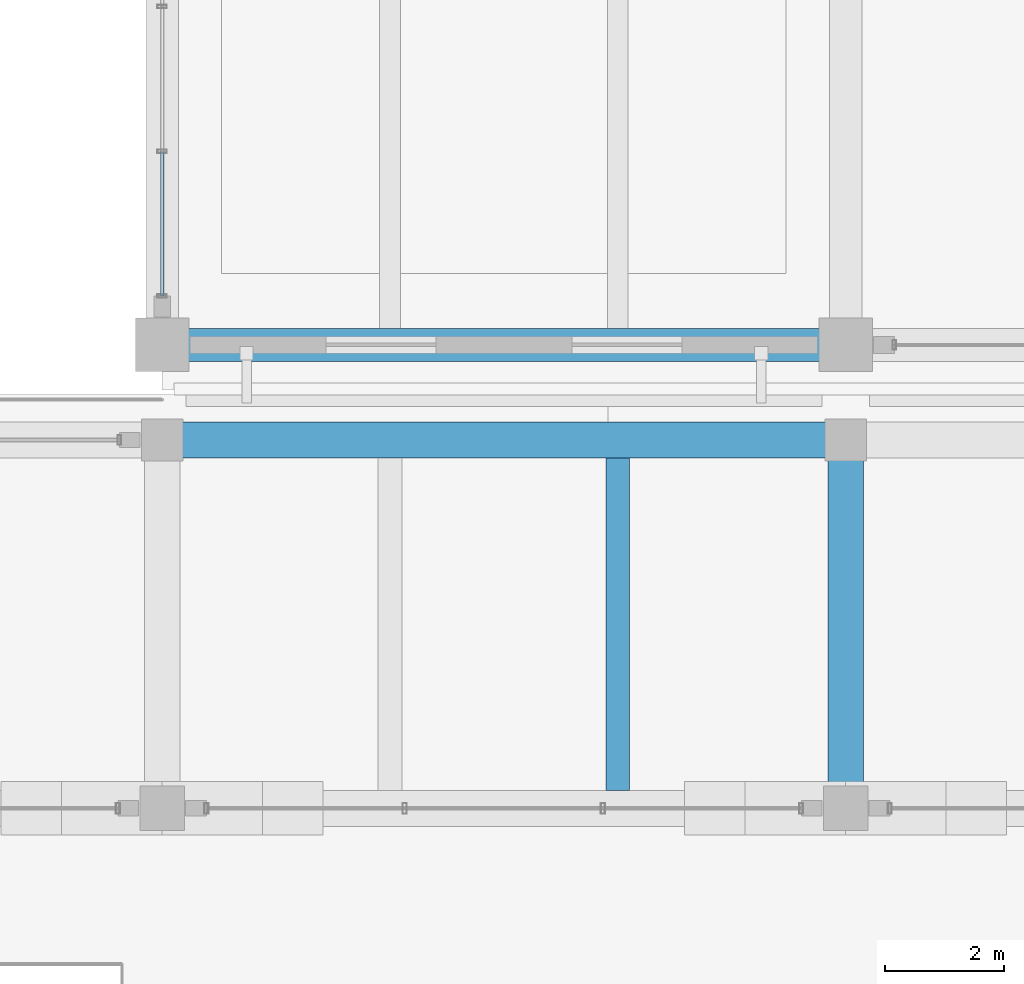
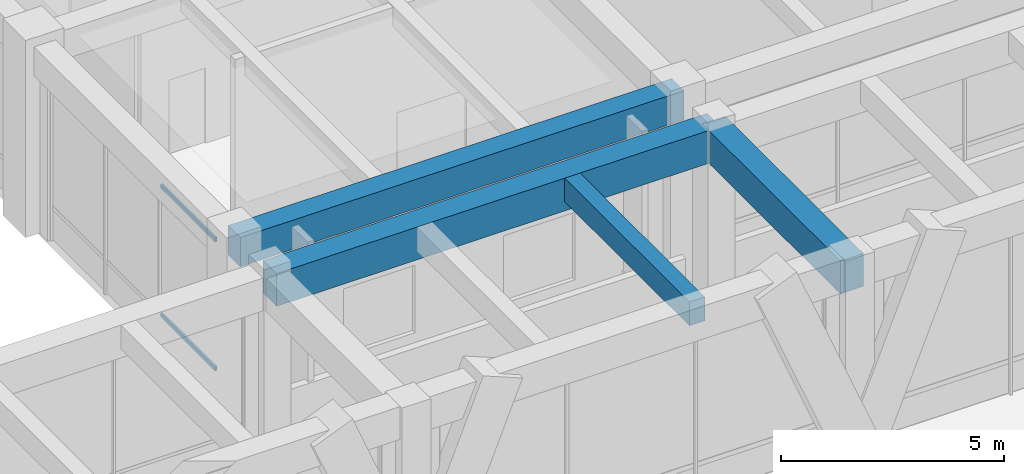
# One storey, part 75 of 148: 4 beams, 2 members, 1 element without a shape of its own.
"""IFC4 building model written with IfcOpenShell, lengths in metres."""

from ifc_helpers import new_model, si_unit, direction, frame, origin, origin_2d, place, context, subcontext, project, spatial, rectangle, hollow_rectangle, extrude, material, material_profile, profile_set, type_object, element, aggregate, save


model = new_model("IFC4")

# Units and contexts
model_context = context("Model", 3, precision=1e-05, world=origin(), true_north=direction((0.0, 1.0)))
body_context = subcontext(model_context, "Body", "Model", "MODEL_VIEW")
ifc_project = project(units=[si_unit("LENGTHUNIT", "METRE"), si_unit("AREAUNIT", "SQUARE_METRE"), si_unit("VOLUMEUNIT", "CUBIC_METRE"), si_unit("PLANEANGLEUNIT", "RADIAN"), si_unit("MASSUNIT", "GRAM", prefix="KILO")], contexts=[model_context])

# Site, building, storey
site_placement = place(None, origin())
site = spatial("IfcSite", under=ifc_project, at=site_placement, CompositionType="ELEMENT")
building_placement = place(site_placement, origin())
building = spatial("IfcBuilding", under=site, at=building_placement, Name="Ologun Quay Terminus", CompositionType="ELEMENT")
storey_placement = place(building_placement, frame((0.0, 0.0, 8.39990234375)))
storey = spatial("IfcBuildingStorey", under=building, at=storey_placement, Name="L02", CompositionType="ELEMENT", Elevation=8.39990234375)

# Curtain wall, members
ifc_material_1 = material(Name="Aluminium 6063-T6", Category="aluminium")
curtain_wall_type = type_object("IfcCurtainWallType", Name="Rain-Garden East Courtyard Curtain Wall L02 9200x5000", PredefinedType="USERDEFINED", material=ifc_material_1)
curtain_wall_placement = place(storey_placement, origin())
curtain_wall = element("IfcCurtainWall", 1, at=curtain_wall_placement, inside=storey, type_object=curtain_wall_type, Name="CW-19 Curtain Wall CW-L02-135", ObjectType="UNITISED CURTAIN WALL", PredefinedType="USERDEFINED")
ifc_material_2 = material(Name="Aluminium 6063-T6", Category="aluminium")
ifc_material_profile_1 = material_profile(ifc_material_2, hollow_rectangle(XDim=0.054931640625, YDim=0.110107421875, WallThickness=0.00390625, at=origin_2d()), Name="ALU 110x55x4")
ifc_profile_set_1 = profile_set([ifc_material_profile_1], Name="Aluminium 6063-T6")
member_type = type_object("IfcMemberType", Name="Courtyard Screen Transom 110x55", PredefinedType="USERDEFINED", material=ifc_profile_set_1)
member_1_placement = place(storey_placement, frame((115.0, 86.6201171875, 0.900146484375), z_axis=(0.0, 1.0, 0.0), x_axis=(-1.0, 0.0, 0.0)))
member_1 = element("IfcMember", 2, at=member_1_placement, type_object=member_type, Name="CW-L02-135 Transom B1-1", ObjectType="TRANSOM", PredefinedType="USERDEFINED", context=body_context, shape_type="SweptSolid", body=[
    extrude(hollow_rectangle(XDim=0.054931640625, YDim=0.110107421875, WallThickness=0.00390625, at=origin_2d()), origin(), (0.0, 0.0, 1.0), 2.4365234375),
])
member_2_placement = place(storey_placement, frame((115.0, 86.6201171875, 4.43017578125), z_axis=(0.0, 1.0, 0.0), x_axis=(-1.0, 0.0, 0.0)))
member_2 = element("IfcMember", 3, at=member_2_placement, type_object=member_type, Name="CW-L02-135 Transom B1-2", ObjectType="TRANSOM", PredefinedType="USERDEFINED", context=body_context, shape_type="SweptSolid", body=[
    extrude(hollow_rectangle(XDim=0.054931640625, YDim=0.110107421875, WallThickness=0.00390625, at=origin_2d()), origin(), (0.0, 0.0, 1.0), 2.4365234375),
])
aggregate(curtain_wall, [member_1, member_2])

# Beams
ifc_material_3 = material(Name="Concrete C40/50", Category="concrete")
ifc_material_profile_2 = material_profile(ifc_material_3, rectangle(XDim=0.550048828125, YDim=0.800048828125, at=origin_2d()), Name="RC 550x800")
ifc_profile_set_2 = profile_set([ifc_material_profile_2], Name="Concrete C40/50")
beam_type_1 = type_object("IfcBeamType", Name="Courtyard Wing Primary Girder 550x800", PredefinedType="BEAM", material=ifc_profile_set_2)
beam_1_placement = place(storey_placement, frame((115.0, 85.800048828125, 4.75), z_axis=(1.0, 0.0, 0.0), x_axis=(0.0, 1.0, 0.0)))
element("IfcBeam", 4, at=beam_1_placement, inside=storey, type_object=beam_type_1, Name="B4 Beam 11/G2 L02", PredefinedType="BEAM", context=body_context, shape_type="SweptSolid", body=[
    extrude(rectangle(XDim=0.550048828125, YDim=0.800048828125, at=origin_2d()), origin(), (0.0, 0.0, 1.0), 11.5),
])
ifc_material_4 = material(Name="Concrete C40/50", Category="concrete")
ifc_material_profile_3 = material_profile(ifc_material_4, rectangle(XDim=0.60009765625, YDim=0.89990234375, at=origin_2d()), Name="RC 600x900")
ifc_profile_set_3 = profile_set([ifc_material_profile_3], Name="Concrete C40/50")
beam_type_2 = type_object("IfcBeamType", Name="Station Frame Girder 600x900", PredefinedType="BEAM", material=ifc_profile_set_3)
beam_2_placement = place(storey_placement, frame((115.0, 84.199951171875, 4.7001953125), z_axis=(1.0, 0.0, 0.0), x_axis=(0.0, 1.0, 0.0)))
element("IfcBeam", 5, at=beam_2_placement, inside=storey, type_object=beam_type_2, Name="B3 Beam 11/G1 L02", PredefinedType="BEAM", context=body_context, shape_type="SweptSolid", body=[
    extrude(rectangle(XDim=0.60009765625, YDim=0.89990234375, at=origin_2d()), origin(), (0.0, 0.0, 1.0), 11.5),
])
beam_3_placement = place(storey_placement, frame((126.5, 78.0, 4.7001953125), z_axis=(0.0, 1.0, 0.0), x_axis=(-1.0, 0.0, 0.0)))
element("IfcBeam", 6, at=beam_3_placement, inside=storey, type_object=beam_type_2, Name="B3 Beam 12/F L02", PredefinedType="BEAM", context=body_context, shape_type="SweptSolid", body=[
    extrude(rectangle(XDim=0.60009765625, YDim=0.89990234375, at=origin_2d()), origin(), (0.0, 0.0, 1.0), 6.199951171875),
])
ifc_material_5 = material(Name="Concrete C40/50", Category="concrete")
ifc_material_profile_4 = material_profile(ifc_material_5, rectangle(XDim=0.39990234375, YDim=0.64990234375, at=origin_2d()), Name="RC 400x650")
ifc_profile_set_4 = profile_set([ifc_material_profile_4], Name="Concrete C40/50")
beam_type_3 = type_object("IfcBeamType", Name="Station Secondary Joist 400x650", PredefinedType="JOIST", material=ifc_profile_set_4)
beam_4_placement = place(storey_placement, frame((122.666748046875, 78.300048828125, 4.8251953125), z_axis=(0.0, 1.0, 0.0), x_axis=(-1.0, 0.0, 0.0)))
element("IfcBeam", 7, at=beam_4_placement, inside=storey, type_object=beam_type_3, Name="J1 Beam 11/F L02", PredefinedType="JOIST", context=body_context, shape_type="SweptSolid", body=[
    extrude(rectangle(XDim=0.39990234375, YDim=0.64990234375, at=origin_2d()), origin(), (0.0, 0.0, 1.0), 5.599853515625),
])

save(model, "model.ifc")
